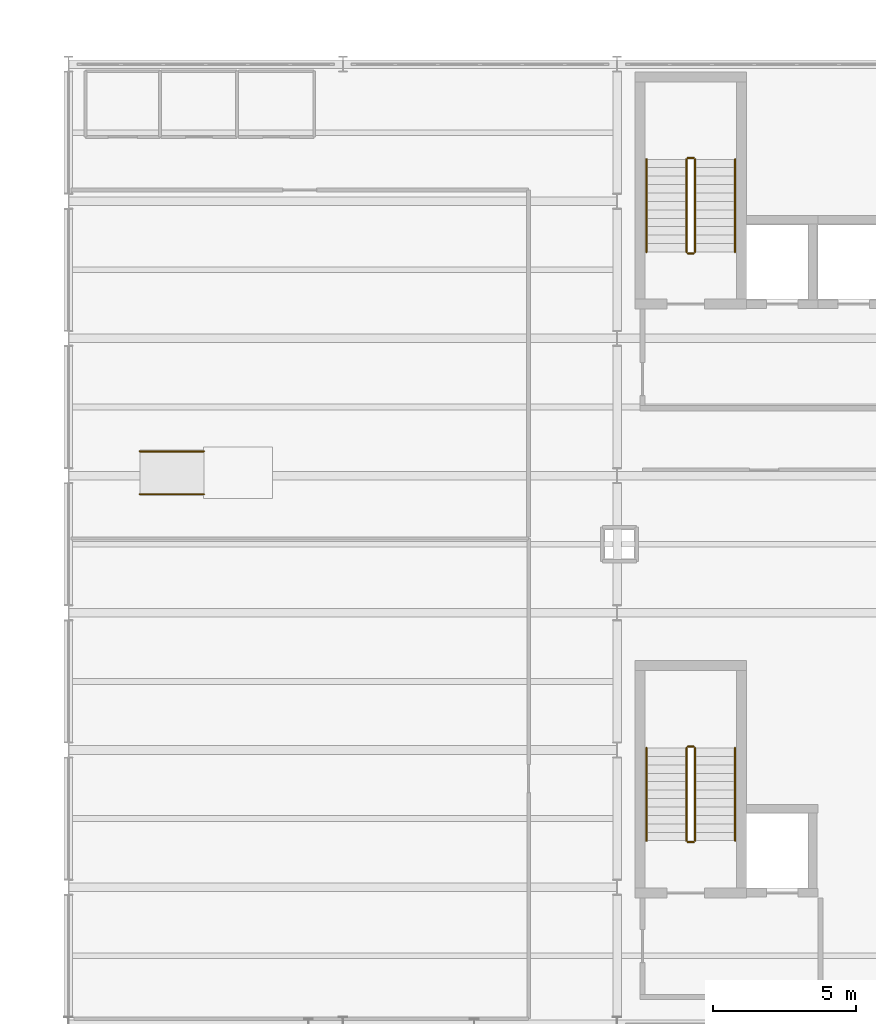
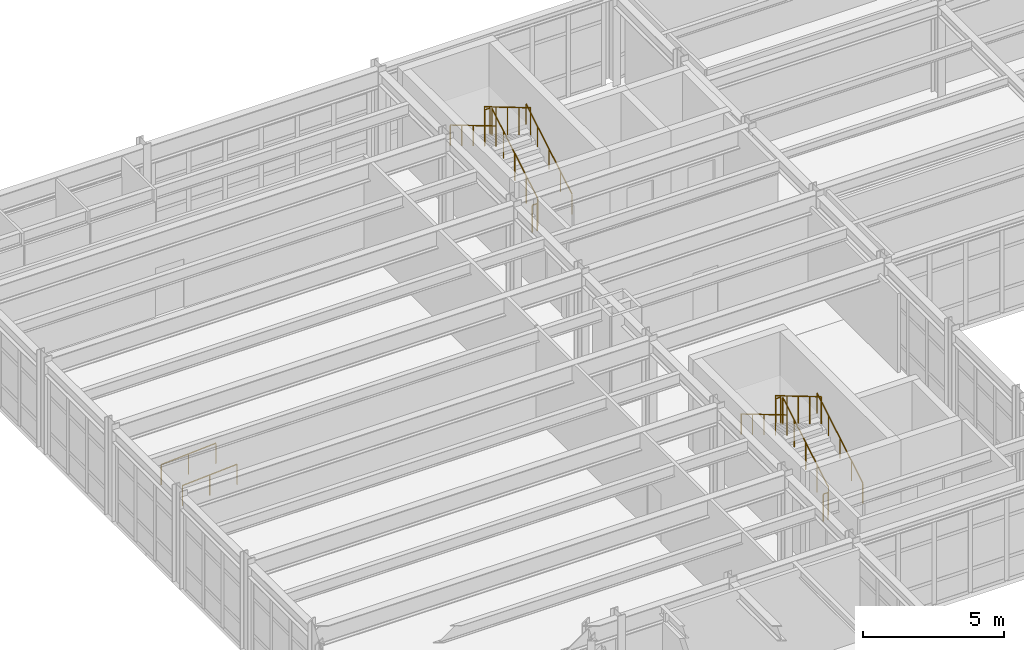
# One storey, part 84 of 88: 14 railings.
"""IFC4 building model written with IfcOpenShell, lengths in metres."""

from ifc_helpers import new_model, si_unit, direction, frame, origin, origin_2d, place, context, subcontext, project, spatial, circle, extrude, material, layer, layer_set, type_object, element, save


model = new_model("IFC4")

# Units and contexts
model_context = context("Model", 3, precision=1e-05, world=origin(), true_north=direction((0.0, 1.0)))
body_context = subcontext(model_context, "Body", "Model", "MODEL_VIEW")
ifc_project = project(units=[si_unit("LENGTHUNIT", "METRE"), si_unit("AREAUNIT", "SQUARE_METRE"), si_unit("VOLUMEUNIT", "CUBIC_METRE"), si_unit("PLANEANGLEUNIT", "RADIAN"), si_unit("MASSUNIT", "GRAM", prefix="KILO")], contexts=[model_context])

# Site, building, storey
site_placement = place(None, origin())
site = spatial("IfcSite", under=ifc_project, at=site_placement, CompositionType="ELEMENT")
building_placement = place(site_placement, origin())
building = spatial("IfcBuilding", under=site, at=building_placement, Name="Nordkorset Police Headquarters", CompositionType="ELEMENT")
storey_placement = place(building_placement, frame((0.0, 0.0, 9.449951171875)))
storey = spatial("IfcBuildingStorey", under=building, at=storey_placement, Name="L02", CompositionType="ELEMENT", Elevation=9.449951171875)

# Railings
ifc_material_1 = material(Name="Steel S355J2", Category="steel")
ifc_layer_1 = layer(ifc_material_1, 0.048095703125, Name="Steel S355J2")
ifc_layer_set_1 = layer_set([ifc_layer_1], Name="Steel S355J2")
railing_type_1 = type_object("IfcRailingType", Name="Railing_Handrail_900", PredefinedType="HANDRAIL", material=ifc_layer_set_1)
railing_1_placement = place(storey_placement, frame((23.324951171875, 110.22509765625, 0.175048828125)))
element("IfcRailing", 1, at=railing_1_placement, inside=storey, type_object=railing_type_1, Name="L02 ST-01 stair handrail 1", PredefinedType="HANDRAIL", context=body_context, shape_type="SweptSolid", body=[
    extrude(circle(Radius=0.02392578125, at=origin_2d()), frame((0.0, 0.0, 0.8759765625), z_axis=(0.0, 0.860040215814, 0.510226250974), x_axis=(-1.0, 0.0, 0.0)), (0.0, 0.0, 1.0), 3.77294921875),
    extrude(circle(Radius=0.02099609375, at=origin_2d()), origin(), (0.0, 0.0, 1.0), 0.851806640625),
    extrude(circle(Radius=0.02099609375, at=origin_2d()), frame((0.0, 0.811279296875, 0.481201171875)), (0.0, 0.0, 1.0), 0.851806640625),
    extrude(circle(Radius=0.02099609375, at=origin_2d()), frame((0.0, 1.62255859375, 0.96240234375)), (0.0, 0.0, 1.0), 0.851806640625),
    extrude(circle(Radius=0.02099609375, at=origin_2d()), frame((0.0, 2.43359375, 1.44384765625)), (0.0, 0.0, 1.0), 0.851806640625),
    extrude(circle(Radius=0.02099609375, at=origin_2d()), frame((0.0, 3.244873046875, 1.925048828125)), (0.0, 0.0, 1.0), 0.851806640625),
])
railing_2_placement = place(storey_placement, frame((20.22509765625, 113.469970703125, 2.275146484375)))
element("IfcRailing", 2, at=railing_2_placement, inside=storey, type_object=railing_type_1, Name="L02 ST-01 stair handrail 2", PredefinedType="HANDRAIL", context=body_context, shape_type="SweptSolid", body=[
    extrude(circle(Radius=0.02392578125, at=origin_2d()), frame((0.0, 0.0, 0.8759765625), z_axis=(0.0, -0.860068610471, 0.510178385746), x_axis=(1.0, 0.0, 0.0)), (0.0, 0.0, 1.0), 3.772705078125),
    extrude(circle(Radius=0.02099609375, at=origin_2d()), origin(), (0.0, 0.0, 1.0), 0.851806640625),
    extrude(circle(Radius=0.02099609375, at=origin_2d()), frame((0.0, -0.811279296875, 0.481201171875)), (0.0, 0.0, 1.0), 0.851806640625),
    extrude(circle(Radius=0.02099609375, at=origin_2d()), frame((0.0, -1.62255859375, 0.96240234375)), (0.0, 0.0, 1.0), 0.851806640625),
    extrude(circle(Radius=0.02099609375, at=origin_2d()), frame((0.0, -2.43359375, 1.443603515625)), (0.0, 0.0, 1.0), 0.851806640625),
    extrude(circle(Radius=0.02099609375, at=origin_2d()), frame((0.0, -3.244873046875, 1.9248046875)), (0.0, 0.0, 1.0), 0.851806640625),
])
railing_3_placement = place(storey_placement, frame((23.324951171875, 89.625, 0.175048828125)))
element("IfcRailing", 3, at=railing_3_placement, inside=storey, type_object=railing_type_1, Name="L02 ST-03 stair handrail 1", PredefinedType="HANDRAIL", context=body_context, shape_type="SweptSolid", body=[
    extrude(circle(Radius=0.02392578125, at=origin_2d()), frame((0.0, 0.0, 0.8759765625), z_axis=(0.0, 0.860057060016, 0.510197857224), x_axis=(-1.0, 0.0, 0.0)), (0.0, 0.0, 1.0), 3.773193359375),
    extrude(circle(Radius=0.02099609375, at=origin_2d()), origin(), (0.0, 0.0, 1.0), 0.851806640625),
    extrude(circle(Radius=0.02099609375, at=origin_2d()), frame((0.0, 0.811279296875, 0.481201171875)), (0.0, 0.0, 1.0), 0.851806640625),
    extrude(circle(Radius=0.02099609375, at=origin_2d()), frame((0.0, 1.62255859375, 0.96240234375)), (0.0, 0.0, 1.0), 0.851806640625),
    extrude(circle(Radius=0.02099609375, at=origin_2d()), frame((0.0, 2.433837890625, 1.44384765625)), (0.0, 0.0, 1.0), 0.851806640625),
    extrude(circle(Radius=0.02099609375, at=origin_2d()), frame((0.0, 3.2451171875, 1.925048828125)), (0.0, 0.0, 1.0), 0.851806640625),
])
railing_4_placement = place(storey_placement, frame((20.22509765625, 92.8701171875, 2.275146484375)))
element("IfcRailing", 4, at=railing_4_placement, inside=storey, type_object=railing_type_1, Name="L02 ST-03 stair handrail 2", PredefinedType="HANDRAIL", context=body_context, shape_type="SweptSolid", body=[
    extrude(circle(Radius=0.02392578125, at=origin_2d()), frame((0.0, 0.0, 0.8759765625), z_axis=(0.0, -0.860085452069, 0.510149992786), x_axis=(1.0, 0.0, 0.0)), (0.0, 0.0, 1.0), 3.77294921875),
    extrude(circle(Radius=0.02099609375, at=origin_2d()), origin(), (0.0, 0.0, 1.0), 0.851806640625),
    extrude(circle(Radius=0.02099609375, at=origin_2d()), frame((0.0, -0.811279296875, 0.481201171875)), (0.0, 0.0, 1.0), 0.851806640625),
    extrude(circle(Radius=0.02099609375, at=origin_2d()), frame((0.0, -1.62255859375, 0.96240234375)), (0.0, 0.0, 1.0), 0.851806640625),
    extrude(circle(Radius=0.02099609375, at=origin_2d()), frame((0.0, -2.433837890625, 1.443603515625)), (0.0, 0.0, 1.0), 0.851806640625),
    extrude(circle(Radius=0.02099609375, at=origin_2d()), frame((0.0, -3.2451171875, 1.9248046875)), (0.0, 0.0, 1.0), 0.851806640625),
])
for number, where, name in (
    (5, (2.5, 101.75, 0.0), "Taskforce Briefing Dais Ramp Handrail S"),
    (6, (2.5, 103.25, 0.0), "Taskforce Briefing Dais Ramp Handrail N"),
):
    element("IfcRailing", number, at=place(storey_placement, frame(where)), inside=storey, type_object=railing_type_1, Name=name, PredefinedType="HANDRAIL", context=body_context, shape_type="SweptSolid", body=[
        extrude(circle(Radius=0.02392578125, at=origin_2d()), frame((0.0, 0.0, 0.8759765625), z_axis=(0.998048767235, 0.0, 0.062439236228), x_axis=(0.0, 1.0, 0.0)), (0.0, 0.0, 1.0), 2.244384765625),
        extrude(circle(Radius=0.02099609375, at=origin_2d()), origin(), (0.0, 0.0, 1.0), 0.851806640625),
        extrude(circle(Radius=0.02099609375, at=origin_2d()), frame((1.1201171875, 0.0, 0.070068359375)), (0.0, 0.0, 1.0), 0.851806640625),
        extrude(circle(Radius=0.02099609375, at=origin_2d()), frame((2.239990234375, 0.0, 0.14013671875)), (0.0, 0.0, 1.0), 0.851806640625),
    ])
ifc_material_2 = material(Name="Steel S355J2", Category="steel")
ifc_layer_2 = layer(ifc_material_2, 0.050048828125, Name="Steel S355J2")
ifc_layer_set_2 = layer_set([ifc_layer_2], Name="Steel S355J2")
railing_type_2 = type_object("IfcRailingType", Name="Railing_StairGuard_1200", PredefinedType="GUARDRAIL", material=ifc_layer_set_2)
railing_5_placement = place(storey_placement, frame((21.925048828125, 110.22509765625, 0.175048828125)))
element("IfcRailing", 7, at=railing_5_placement, inside=storey, type_object=railing_type_2, Name="L02 ST-01 stair guard 1", PredefinedType="GUARDRAIL", context=body_context, shape_type="SweptSolid", body=[
    extrude(circle(Radius=0.02392578125, at=origin_2d()), frame((0.0, 0.0, 1.17578125), z_axis=(0.0, 0.860040215814, 0.510226250974), x_axis=(-1.0, 0.0, 0.0)), (0.0, 0.0, 1.0), 3.77294921875),
    extrude(circle(Radius=0.02099609375, at=origin_2d()), origin(), (0.0, 0.0, 1.0), 1.15185546875),
    extrude(circle(Radius=0.02099609375, at=origin_2d()), frame((0.0, 0.811279296875, 0.481201171875)), (0.0, 0.0, 1.0), 1.15185546875),
    extrude(circle(Radius=0.02099609375, at=origin_2d()), frame((0.0, 1.62255859375, 0.96240234375)), (0.0, 0.0, 1.0), 1.15185546875),
    extrude(circle(Radius=0.02099609375, at=origin_2d()), frame((0.0, 2.43359375, 1.44384765625)), (0.0, 0.0, 1.0), 1.15185546875),
    extrude(circle(Radius=0.02099609375, at=origin_2d()), frame((0.0, 3.244873046875, 1.925048828125)), (0.0, 0.0, 1.0), 1.15185546875),
])
railing_6_placement = place(storey_placement, frame((21.875, 113.52001953125, 2.10009765625)))
element("IfcRailing", 8, at=railing_6_placement, inside=storey, type_object=railing_type_2, Name="L02 ST-01 stair guard 2", PredefinedType="GUARDRAIL", context=body_context, shape_type="SweptSolid", body=[
    extrude(circle(Radius=0.02392578125, at=origin_2d()), frame((0.0, 0.0, 1.17578125), z_axis=(-1.0, 0.0, 0.0), x_axis=(0.0, -1.0, 0.0)), (0.0, 0.0, 1.0), 0.199951171875),
    extrude(circle(Radius=0.02099609375, at=origin_2d()), origin(), (0.0, 0.0, 1.0), 1.15185546875),
    extrude(circle(Radius=0.02099609375, at=origin_2d()), frame((-0.199951171875, 0.0, 0.0)), (0.0, 0.0, 1.0), 1.15185546875),
])
railing_7_placement = place(storey_placement, frame((21.625, 113.469970703125, 2.275146484375)))
element("IfcRailing", 9, at=railing_7_placement, inside=storey, type_object=railing_type_2, Name="L02 ST-01 stair guard 3", PredefinedType="GUARDRAIL", context=body_context, shape_type="SweptSolid", body=[
    extrude(circle(Radius=0.02392578125, at=origin_2d()), frame((0.0, 0.0, 1.17578125), z_axis=(0.0, -0.860068610471, 0.510178385746), x_axis=(1.0, 0.0, 0.0)), (0.0, 0.0, 1.0), 3.772705078125),
    extrude(circle(Radius=0.02099609375, at=origin_2d()), origin(), (0.0, 0.0, 1.0), 1.15185546875),
    extrude(circle(Radius=0.02099609375, at=origin_2d()), frame((0.0, -0.811279296875, 0.481201171875)), (0.0, 0.0, 1.0), 1.15185546875),
    extrude(circle(Radius=0.02099609375, at=origin_2d()), frame((0.0, -1.62255859375, 0.96240234375)), (0.0, 0.0, 1.0), 1.15185546875),
    extrude(circle(Radius=0.02099609375, at=origin_2d()), frame((0.0, -2.43359375, 1.443603515625)), (0.0, 0.0, 1.0), 1.15185546875),
    extrude(circle(Radius=0.02099609375, at=origin_2d()), frame((0.0, -3.244873046875, 1.9248046875)), (0.0, 0.0, 1.0), 1.15185546875),
])
railing_8_placement = place(storey_placement, frame((21.875, 110.175048828125, 0.0)))
element("IfcRailing", 10, at=railing_8_placement, inside=storey, type_object=railing_type_2, Name="L02 ST-01 stair guard 4", PredefinedType="GUARDRAIL", context=body_context, shape_type="SweptSolid", body=[
    extrude(circle(Radius=0.02392578125, at=origin_2d()), frame((0.0, 0.0, 1.17578125), z_axis=(-1.0, 0.0, 0.0), x_axis=(0.0, -1.0, 0.0)), (0.0, 0.0, 1.0), 0.199951171875),
    extrude(circle(Radius=0.02099609375, at=origin_2d()), origin(), (0.0, 0.0, 1.0), 1.15185546875),
    extrude(circle(Radius=0.02099609375, at=origin_2d()), frame((-0.199951171875, 0.0, 0.0)), (0.0, 0.0, 1.0), 1.15185546875),
])
railing_9_placement = place(storey_placement, frame((21.925048828125, 89.625, 0.175048828125)))
element("IfcRailing", 11, at=railing_9_placement, inside=storey, type_object=railing_type_2, Name="L02 ST-03 stair guard 1", PredefinedType="GUARDRAIL", context=body_context, shape_type="SweptSolid", body=[
    extrude(circle(Radius=0.02392578125, at=origin_2d()), frame((0.0, 0.0, 1.17578125), z_axis=(0.0, 0.860057060016, 0.510197857224), x_axis=(-1.0, 0.0, 0.0)), (0.0, 0.0, 1.0), 3.773193359375),
    extrude(circle(Radius=0.02099609375, at=origin_2d()), origin(), (0.0, 0.0, 1.0), 1.15185546875),
    extrude(circle(Radius=0.02099609375, at=origin_2d()), frame((0.0, 0.811279296875, 0.481201171875)), (0.0, 0.0, 1.0), 1.15185546875),
    extrude(circle(Radius=0.02099609375, at=origin_2d()), frame((0.0, 1.62255859375, 0.96240234375)), (0.0, 0.0, 1.0), 1.15185546875),
    extrude(circle(Radius=0.02099609375, at=origin_2d()), frame((0.0, 2.433837890625, 1.44384765625)), (0.0, 0.0, 1.0), 1.15185546875),
    extrude(circle(Radius=0.02099609375, at=origin_2d()), frame((0.0, 3.2451171875, 1.925048828125)), (0.0, 0.0, 1.0), 1.15185546875),
])
railing_10_placement = place(storey_placement, frame((21.875, 92.919921875, 2.10009765625)))
element("IfcRailing", 12, at=railing_10_placement, inside=storey, type_object=railing_type_2, Name="L02 ST-03 stair guard 2", PredefinedType="GUARDRAIL", context=body_context, shape_type="SweptSolid", body=[
    extrude(circle(Radius=0.02392578125, at=origin_2d()), frame((0.0, 0.0, 1.17578125), z_axis=(-1.0, 0.0, 0.0), x_axis=(0.0, -1.0, 0.0)), (0.0, 0.0, 1.0), 0.199951171875),
    extrude(circle(Radius=0.02099609375, at=origin_2d()), origin(), (0.0, 0.0, 1.0), 1.15185546875),
    extrude(circle(Radius=0.02099609375, at=origin_2d()), frame((-0.199951171875, 0.0, 0.0)), (0.0, 0.0, 1.0), 1.15185546875),
])
railing_11_placement = place(storey_placement, frame((21.625, 92.8701171875, 2.275146484375)))
element("IfcRailing", 13, at=railing_11_placement, inside=storey, type_object=railing_type_2, Name="L02 ST-03 stair guard 3", PredefinedType="GUARDRAIL", context=body_context, shape_type="SweptSolid", body=[
    extrude(circle(Radius=0.02392578125, at=origin_2d()), frame((0.0, 0.0, 1.17578125), z_axis=(0.0, -0.860085452069, 0.510149992786), x_axis=(1.0, 0.0, 0.0)), (0.0, 0.0, 1.0), 3.77294921875),
    extrude(circle(Radius=0.02099609375, at=origin_2d()), origin(), (0.0, 0.0, 1.0), 1.15185546875),
    extrude(circle(Radius=0.02099609375, at=origin_2d()), frame((0.0, -0.811279296875, 0.481201171875)), (0.0, 0.0, 1.0), 1.15185546875),
    extrude(circle(Radius=0.02099609375, at=origin_2d()), frame((0.0, -1.62255859375, 0.96240234375)), (0.0, 0.0, 1.0), 1.15185546875),
    extrude(circle(Radius=0.02099609375, at=origin_2d()), frame((0.0, -2.433837890625, 1.443603515625)), (0.0, 0.0, 1.0), 1.15185546875),
    extrude(circle(Radius=0.02099609375, at=origin_2d()), frame((0.0, -3.2451171875, 1.9248046875)), (0.0, 0.0, 1.0), 1.15185546875),
])
railing_12_placement = place(storey_placement, frame((21.875, 89.574951171875, 0.0)))
element("IfcRailing", 14, at=railing_12_placement, inside=storey, type_object=railing_type_2, Name="L02 ST-03 stair guard 4", PredefinedType="GUARDRAIL", context=body_context, shape_type="SweptSolid", body=[
    extrude(circle(Radius=0.02392578125, at=origin_2d()), frame((0.0, 0.0, 1.17578125), z_axis=(-1.0, 0.0, 0.0), x_axis=(0.0, -1.0, 0.0)), (0.0, 0.0, 1.0), 0.199951171875),
    extrude(circle(Radius=0.02099609375, at=origin_2d()), origin(), (0.0, 0.0, 1.0), 1.15185546875),
    extrude(circle(Radius=0.02099609375, at=origin_2d()), frame((-0.199951171875, 0.0, 0.0)), (0.0, 0.0, 1.0), 1.15185546875),
])

save(model, "model.ifc")
